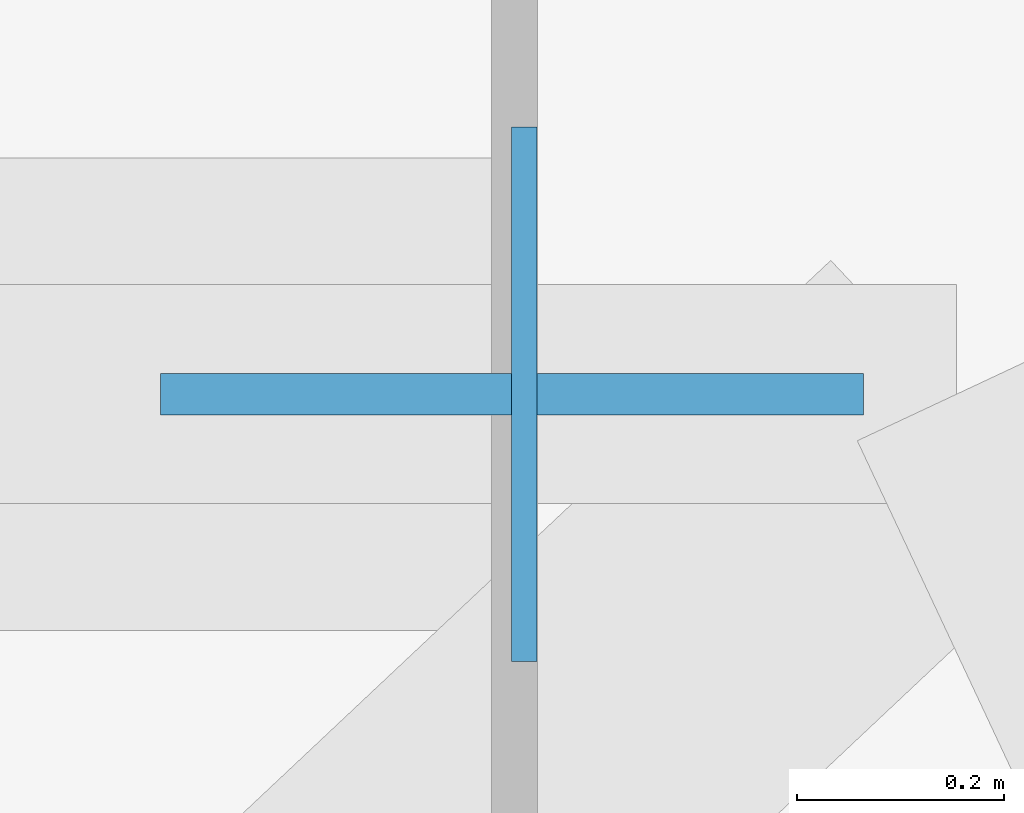
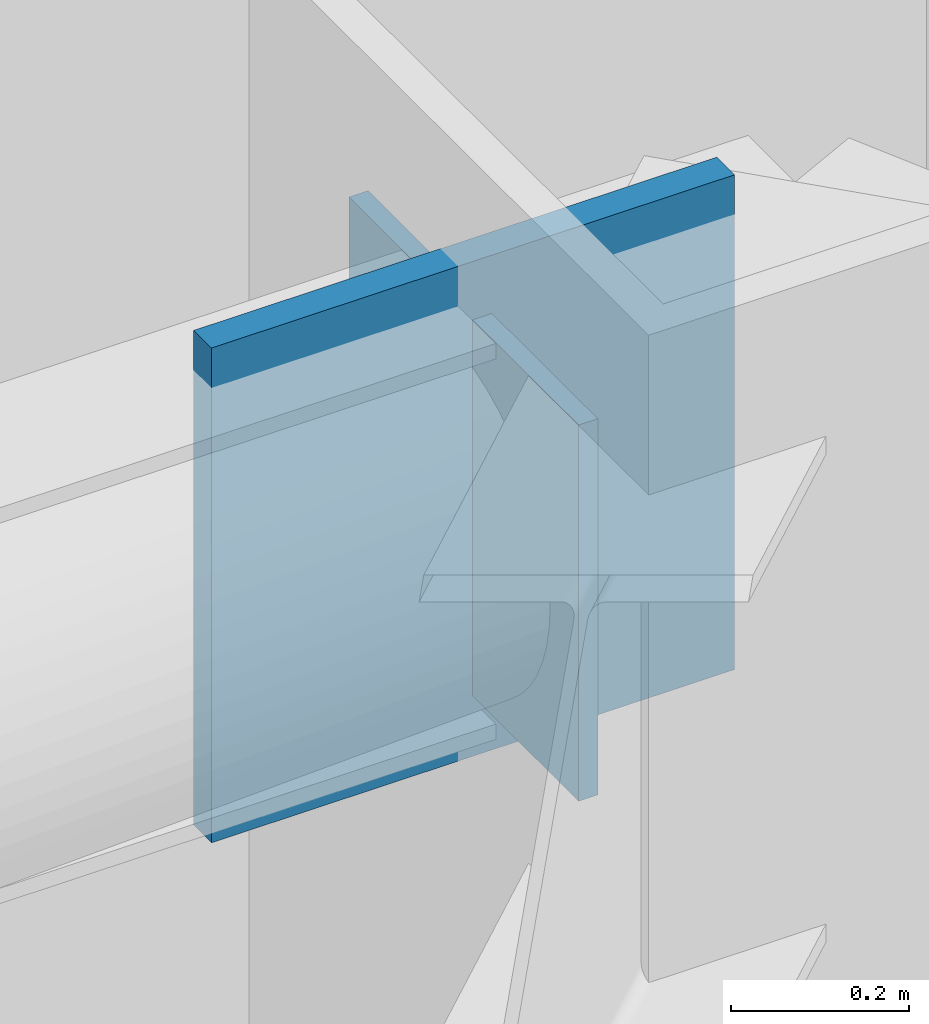
# One storey, part 4 of 13: 2 plates.
"""IFC4 building model written with IfcOpenShell, lengths in metres."""

from ifc_helpers import new_model, si_unit, direction, frame, origin, origin_2d, place, context, subcontext, project, spatial, rectangle, extrude, material, layer, layer_set, type_object, element, save


model = new_model("IFC4")

# Units and contexts
model_context = context("Model", 3, precision=1e-05, world=origin(), true_north=direction((0.0, 1.0)))
body_context = subcontext(model_context, "Body", "Model", "MODEL_VIEW")
ifc_project = project(units=[si_unit("LENGTHUNIT", "METRE"), si_unit("AREAUNIT", "SQUARE_METRE"), si_unit("VOLUMEUNIT", "CUBIC_METRE"), si_unit("PLANEANGLEUNIT", "RADIAN"), si_unit("MASSUNIT", "GRAM", prefix="KILO")], contexts=[model_context])

# Site, building, storey
site_placement = place(None, origin())
site = spatial("IfcSite", under=ifc_project, at=site_placement, CompositionType="ELEMENT")
building_placement = place(site_placement, origin())
building = spatial("IfcBuilding", under=site, at=building_placement, Name="Khamvora Tower", CompositionType="ELEMENT")
storey_placement = place(building_placement, frame((0.0, 0.0, 166.85009765625)))
storey = spatial("IfcBuildingStorey", under=building, at=storey_placement, Name="L42", CompositionType="ELEMENT", Elevation=166.85009765625)

# Plates
ifc_material_1 = material(Name="Steel S355", Category="steel")
ifc_layer_1 = layer(ifc_material_1, 0.02490234375)
ifc_layer_set_1 = layer_set([ifc_layer_1], Name="Steel S355")
plate_type_1 = type_object("IfcPlateType", Name="PL-CAP-25", PredefinedType="SHEET", material=ifc_layer_set_1)
plate_1_placement = place(storey_placement, frame((56.33203125, 44.5, 2.886474609375), z_axis=(0.0, 0.0, 1.0), x_axis=(1.0, 0.0, 0.0)))
element("IfcPlate", 1, at=plate_1_placement, inside=storey, type_object=plate_type_1, Name="L42 hollow section steel end cap plate 0951", PredefinedType="SHEET", context=body_context, shape_type="SweptSolid", body=[
    extrude(rectangle(XDim=0.02490234375, YDim=0.51708984375, at=origin_2d()), origin(), (0.0, 0.0, 1.0), 0.51708984375),
])
ifc_material_2 = material(Name="Steel S460", Category="steel")
ifc_layer_2 = layer(ifc_material_2, 0.0400390625)
ifc_layer_set_2 = layer_set([ifc_layer_2], Name="Steel S460")
plate_type_2 = type_object("IfcPlateType", Name="PLT-GUS-40", PredefinedType="SHEET", material=ifc_layer_set_2)
plate_2_placement = place(storey_placement, frame((56.320068359375, 44.5, 2.8037109375), z_axis=(0.0, 0.0, 1.0), x_axis=(1.0, 0.0, 0.0)))
element("IfcPlate", 2, at=plate_2_placement, inside=storey, type_object=plate_type_2, Name="L42 brace connection node gusset plate 0288", PredefinedType="SHEET", context=body_context, shape_type="SweptSolid", body=[
    extrude(rectangle(XDim=0.679931640625, YDim=0.0400390625, at=origin_2d()), origin(), (0.0, 0.0, 1.0), 0.679931640625),
])

save(model, "model.ifc")
